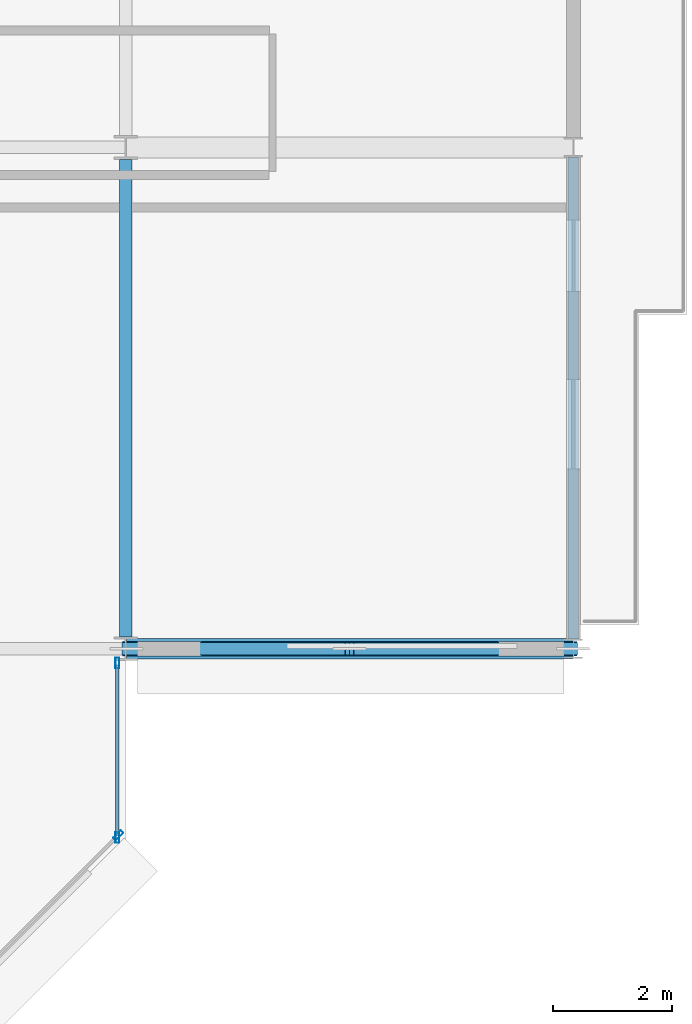
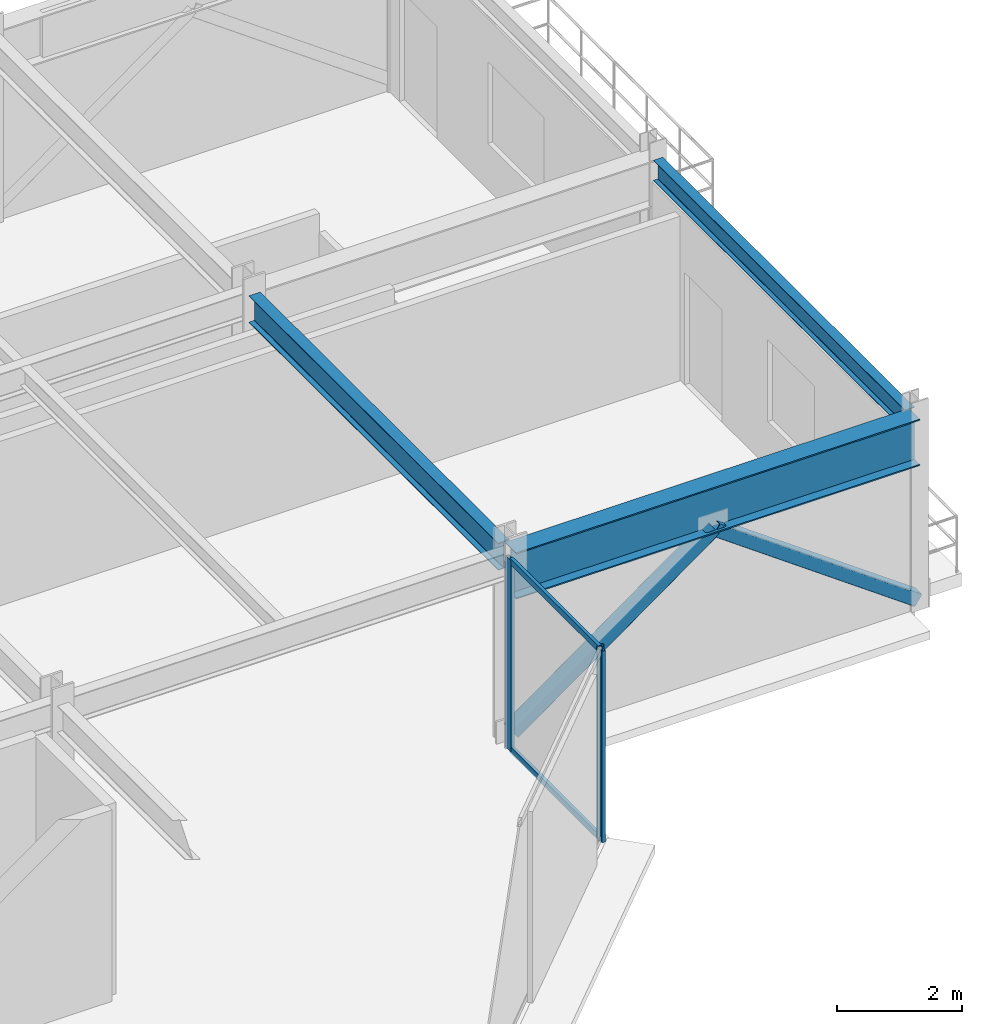
# One storey, part 18 of 40: 7 members, 3 beams, 2 elements without a shape of their own.
"""IFC4 building model written with IfcOpenShell, lengths in metres."""

from ifc_helpers import new_model, si_unit, direction, frame, origin, origin_2d, place, context, subcontext, project, spatial, hollow_rectangle, i_section, extrude, material, layer, layer_set, material_profile, profile_set, type_object, element, aggregate, save


model = new_model("IFC4")

# Units and contexts
model_context = context("Model", 3, precision=1e-05, world=origin(), true_north=direction((0.0, 1.0)))
body_context = subcontext(model_context, "Body", "Model", "MODEL_VIEW")
ifc_project = project(units=[si_unit("LENGTHUNIT", "METRE"), si_unit("AREAUNIT", "SQUARE_METRE"), si_unit("VOLUMEUNIT", "CUBIC_METRE"), si_unit("PLANEANGLEUNIT", "RADIAN"), si_unit("MASSUNIT", "GRAM", prefix="KILO")], contexts=[model_context])

# Site, building, storey
site_placement = place(None, origin())
site = spatial("IfcSite", under=ifc_project, at=site_placement, CompositionType="ELEMENT")
building_placement = place(site_placement, origin())
building = spatial("IfcBuilding", under=site, at=building_placement, Name="Nerrivon Quay Data Exchange", CompositionType="ELEMENT")
storey_placement = place(building_placement, frame((0.0, 0.0, 109.0)))
storey = spatial("IfcBuildingStorey", under=building, at=storey_placement, Name="L25", CompositionType="ELEMENT", Elevation=109.0)

# Beams
ifc_material_1 = material(Name="Steel Grade 350", Category="steel")
ifc_material_profile_1 = material_profile(ifc_material_1, i_section(OverallWidth=0.35009765625, OverallDepth=0.909912109375, WebThickness=0.011962890625, FlangeThickness=0.02490234375, at=origin_2d()), Name="900WB218")
ifc_profile_set_1 = profile_set([ifc_material_profile_1], Name="Steel Grade 350")
beam_type_1 = type_object("IfcBeamType", Name="BM-CANT-900WB", PredefinedType="USERDEFINED", material=ifc_profile_set_1)
beam_1_placement = place(storey_placement, frame((50.41259765625, 8.39990234375, 3.294921875), z_axis=(1.0, 0.0, 0.0), x_axis=(0.0, 1.0, 0.0)))
element("IfcBeam", 1, at=beam_1_placement, inside=storey, type_object=beam_type_1, Name="L25 East Hooked Cantilever Girder Y=8.4", ObjectType="TRANSFER", PredefinedType="USERDEFINED", context=body_context, shape_type="SweptSolid", body=[
    extrude(i_section(OverallWidth=0.35009765625, OverallDepth=0.909912109375, WebThickness=0.011962890625, FlangeThickness=0.02490234375, at=origin_2d()), origin(), (0.0, 0.0, 1.0), 7.4794921875),
])
ifc_material_profile_2 = material_profile(ifc_material_1, i_section(OverallWidth=0.208984375, OverallDepth=0.528076171875, WebThickness=0.009521484375, FlangeThickness=0.01318359375, FilletRadius=0.013916015625, at=origin_2d()), Name="530UB82.0")
ifc_profile_set_2 = profile_set([ifc_material_profile_2], Name="Steel Grade 350")
beam_type_2 = type_object("IfcBeamType", Name="BM-G4-530UB82", PredefinedType="BEAM", material=ifc_profile_set_2)
beam_2_placement = place(storey_placement, frame((50.39990234375, 8.60009765625, 3.486083984375), z_axis=(0.0, 1.0, 0.0), x_axis=(-1.0, 0.0, 0.0)))
element("IfcBeam", 2, at=beam_2_placement, inside=storey, type_object=beam_type_2, Name="L25 NS Girder X=50.4 (8.4..16.8)", PredefinedType="BEAM", context=body_context, shape_type="SweptSolid", body=[
    extrude(i_section(OverallWidth=0.208984375, OverallDepth=0.528076171875, WebThickness=0.009521484375, FlangeThickness=0.01318359375, FilletRadius=0.013916015625, at=origin_2d()), origin(), (0.0, 0.0, 1.0), 8.0),
])
ifc_material_profile_3 = material_profile(ifc_material_1, i_section(OverallWidth=0.177978515625, OverallDepth=0.403076171875, WebThickness=0.007568359375, FlangeThickness=0.010986328125, FilletRadius=0.011474609375, at=origin_2d()), Name="410UB53.7")
ifc_profile_set_3 = profile_set([ifc_material_profile_3], Name="Steel Grade 350")
beam_type_3 = type_object("IfcBeamType", Name="BM-SP2-410UB54", PredefinedType="SPANDREL", material=ifc_profile_set_3)
beam_3_placement = place(storey_placement, frame((57.89990234375, 8.5634765625, 3.548583984375), z_axis=(0.0, 1.0, 0.0), x_axis=(-1.0, 0.0, 0.0)))
element("IfcBeam", 3, at=beam_3_placement, inside=storey, type_object=beam_type_3, Name="L25 East Hooked Edge Spandrel", PredefinedType="SPANDREL", context=body_context, shape_type="SweptSolid", body=[
    extrude(i_section(OverallWidth=0.177978515625, OverallDepth=0.403076171875, WebThickness=0.007568359375, FlangeThickness=0.010986328125, FilletRadius=0.011474609375, at=origin_2d()), origin(), (0.0, 0.0, 1.0), 8.072998046875),
])

# Curtain wall, members
ifc_material_2 = material(Name="Anodised aluminium 6063-T6", Category="aluminium")
ifc_layer = layer(ifc_material_2, 0.2099609375)
ifc_layer_set = layer_set([ifc_layer], Name="Anodised aluminium 6063-T6")
curtain_wall_type = type_object("IfcCurtainWallType", Name="CW-SYS-02", PredefinedType="NOTDEFINED", material=ifc_layer_set)
curtain_wall_1_placement = place(storey_placement, origin())
curtain_wall_1 = element("IfcCurtainWall", 4, at=curtain_wall_1_placement, inside=storey, type_object=curtain_wall_type, Name="L25 Unitised Curtain Wall 4", PredefinedType="NOTDEFINED")
ifc_material_profile_4 = material_profile(ifc_material_2, hollow_rectangle(XDim=0.06494140625, YDim=0.179931640625, WallThickness=0.00341796875, at=origin_2d()), Name="ALU-MULL-180x65")
ifc_profile_set_4 = profile_set([ifc_material_profile_4], Name="Anodised aluminium 6063-T6")
member_type_1 = type_object("IfcMemberType", Name="CWM-180x65", PredefinedType="MULLION", material=ifc_profile_set_4)
member_1_placement = place(storey_placement, frame((50.260009765625, 8.16259765625, 0.0), z_axis=(0.0, 0.0, 1.0), x_axis=(1.0, 0.0, 0.0)))
member_1 = element("IfcMember", 5, at=member_1_placement, type_object=member_type_1, Name="CW02 mullion 1", PredefinedType="MULLION", context=body_context, shape_type="SweptSolid", body=[
    extrude(hollow_rectangle(XDim=0.06494140625, YDim=0.179931640625, WallThickness=0.00341796875, at=origin_2d()), origin(), (0.0, 0.0, 1.0), 3.75),
])
member_2_placement = place(storey_placement, frame((50.260009765625, 5.237548828125, 0.0), z_axis=(0.0, 0.0, 1.0), x_axis=(1.0, 0.0, 0.0)))
member_2 = element("IfcMember", 6, at=member_2_placement, type_object=member_type_1, Name="CW02 mullion 2", PredefinedType="MULLION", context=body_context, shape_type="SweptSolid", body=[
    extrude(hollow_rectangle(XDim=0.06494140625, YDim=0.179931640625, WallThickness=0.00341796875, at=origin_2d()), origin(), (0.0, 0.0, 1.0), 3.75),
])

# Curtain wall, member
curtain_wall_2_placement = place(storey_placement, origin())
curtain_wall_2 = element("IfcCurtainWall", 7, at=curtain_wall_2_placement, inside=storey, type_object=curtain_wall_type, Name="L25 Unitised Curtain Wall 5", PredefinedType="NOTDEFINED")
member_3_placement = place(storey_placement, frame((50.2744140625, 5.2724609375, 0.0), z_axis=(0.0, 0.0, 1.0), x_axis=(0.707106781187, -0.707106781187, 0.0)))
member_3 = element("IfcMember", 8, at=member_3_placement, type_object=member_type_1, Name="CW02 mullion 1", PredefinedType="MULLION", context=body_context, shape_type="SweptSolid", body=[
    extrude(hollow_rectangle(XDim=0.06494140625, YDim=0.179931640625, WallThickness=0.00341796875, at=origin_2d()), origin(), (0.0, 0.0, 1.0), 3.75),
])
aggregate(curtain_wall_2, [member_3])

# Member
ifc_material_profile_5 = material_profile(ifc_material_2, hollow_rectangle(XDim=0.06005859375, YDim=0.1201171875, WallThickness=0.003173828125, at=origin_2d()), Name="ALU-TRAN-120x60")
ifc_profile_set_5 = profile_set([ifc_material_profile_5], Name="Anodised aluminium 6063-T6")
member_type_2 = type_object("IfcMemberType", Name="CWT-120x60", PredefinedType="USERDEFINED", material=ifc_profile_set_5)
member_4_placement = place(storey_placement, frame((50.260009765625, 8.125, 0.032470703125), z_axis=(0.0, -1.0, 0.0), x_axis=(1.0, 0.0, 0.0)))
member_4 = element("IfcMember", 9, at=member_4_placement, type_object=member_type_2, Name="CW02 transom 1.1", ObjectType="TRANSOM", PredefinedType="USERDEFINED", context=body_context, shape_type="SweptSolid", body=[
    extrude(hollow_rectangle(XDim=0.06005859375, YDim=0.1201171875, WallThickness=0.003173828125, at=origin_2d()), origin(), (0.0, 0.0, 1.0), 2.85009765625),
])

member_5_placement = place(storey_placement, frame((50.260009765625, 8.125, 3.717529296875), z_axis=(0.0, -1.0, 0.0), x_axis=(1.0, 0.0, 0.0)))
member_5 = element("IfcMember", 10, at=member_5_placement, type_object=member_type_2, Name="CW02 transom 1.2", ObjectType="TRANSOM", PredefinedType="USERDEFINED", context=body_context, shape_type="SweptSolid", body=[
    extrude(hollow_rectangle(XDim=0.06005859375, YDim=0.1201171875, WallThickness=0.003173828125, at=origin_2d()), origin(), (0.0, 0.0, 1.0), 2.85009765625),
])

aggregate(curtain_wall_1, [member_1, member_2, member_4, member_5])

# Members
ifc_material_3 = material(Name="Steel Grade C350L0 (350 MPa)", Category="steel")
ifc_material_profile_6 = material_profile(ifc_material_3, hollow_rectangle(XDim=0.25, YDim=0.25, WallThickness=0.012451171875, InnerFilletRadius=0.018798828125, OuterFilletRadius=0.03125, at=origin_2d()), Name="250x250x12.5SHS")
ifc_profile_set_6 = profile_set([ifc_material_profile_6], Name="Steel Grade C350L0 (350 MPa)")
member_type_3 = type_object("IfcMemberType", Name="MEM-WB1-250SHS", PredefinedType="BRACE", material=ifc_profile_set_6)
member_6_placement = place(storey_placement, frame((50.41259765625, 8.39990234375, 0.159912109375), z_axis=(0.811603723185, 0.0, 0.584208350259), x_axis=(0.0, 1.0, 0.0)))
element("IfcMember", 11, at=member_6_placement, inside=storey, type_object=member_type_3, Name="L25 structural brace BR-L25-EHOOK-084A", PredefinedType="BRACE", context=body_context, shape_type="SweptSolid", body=[
    extrude(hollow_rectangle(XDim=0.25, YDim=0.25, WallThickness=0.012451171875, InnerFilletRadius=0.018798828125, OuterFilletRadius=0.03125, at=origin_2d()), origin(), (0.0, 0.0, 1.0), 4.604736328125),
])
member_7_placement = place(storey_placement, frame((57.89208984375, 8.39990234375, 0.159912109375), z_axis=(-0.811965158565, 0.0, 0.583705903068), x_axis=(0.0, -1.0, 0.0)))
element("IfcMember", 12, at=member_7_placement, inside=storey, type_object=member_type_3, Name="L25 structural brace BR-L25-EHOOK-084B", PredefinedType="BRACE", context=body_context, shape_type="SweptSolid", body=[
    extrude(hollow_rectangle(XDim=0.25, YDim=0.25, WallThickness=0.012451171875, InnerFilletRadius=0.018798828125, OuterFilletRadius=0.03125, at=origin_2d()), origin(), (0.0, 0.0, 1.0), 4.60888671875),
])

save(model, "model.ifc")
